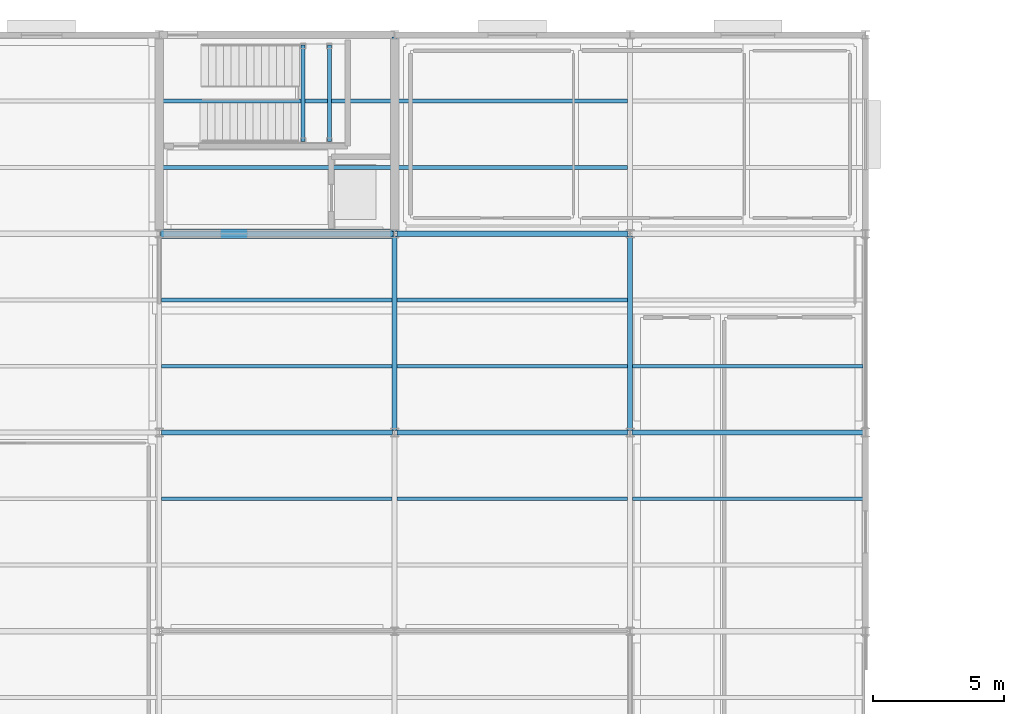
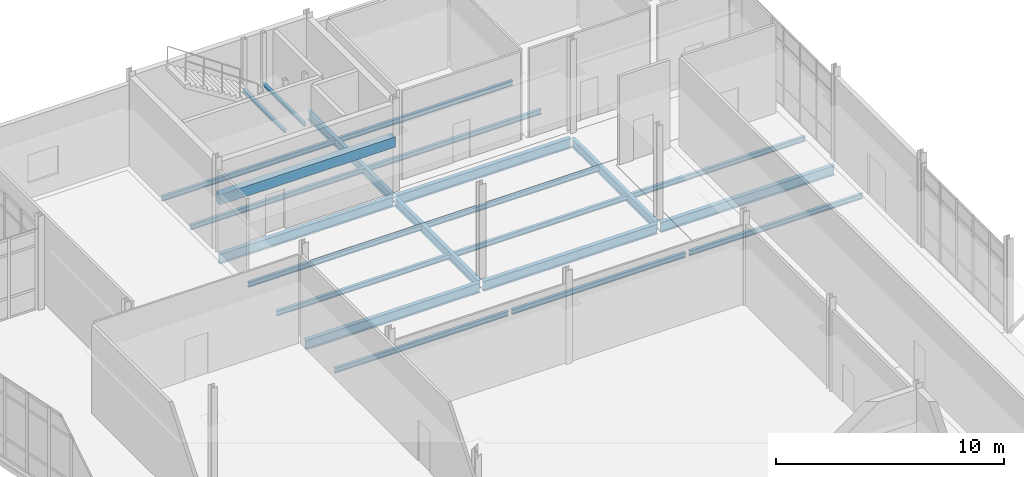
# One storey, part 117 of 161: 23 beams.
"""IFC4 building model written with IfcOpenShell, lengths in metres."""

from ifc_helpers import new_model, si_unit, direction, frame, origin, origin_2d, place, context, subcontext, project, spatial, rectangle, i_section, extrude, material, material_profile, profile_set, type_object, element, save


model = new_model("IFC4")

# Units and contexts
model_context = context("Model", 3, precision=1e-05, world=origin(), true_north=direction((0.0, 1.0)))
body_context = subcontext(model_context, "Body", "Model", "MODEL_VIEW")
ifc_project = project(units=[si_unit("LENGTHUNIT", "METRE"), si_unit("AREAUNIT", "SQUARE_METRE"), si_unit("VOLUMEUNIT", "CUBIC_METRE"), si_unit("PLANEANGLEUNIT", "RADIAN"), si_unit("MASSUNIT", "GRAM", prefix="KILO")], contexts=[model_context])

# Site, building, storey
site_placement = place(None, origin())
site = spatial("IfcSite", under=ifc_project, at=site_placement, CompositionType="ELEMENT")
building_placement = place(site_placement, origin())
building = spatial("IfcBuilding", under=site, at=building_placement, Name="Caisbarro Railhouse Central Library", CompositionType="ELEMENT")
storey_placement = place(building_placement, origin())
storey = spatial("IfcBuildingStorey", under=building, at=storey_placement, Name="L00", CompositionType="ELEMENT", Elevation=0.0)

# Beams
ifc_material_1 = material(Name="Steel ASTM A572 Grade 50", Category="steel")
ifc_material_profile_1 = material_profile(ifc_material_1, i_section(OverallWidth=0.208984375, OverallDepth=0.532958984375, WebThickness=0.01025390625, FlangeThickness=0.015625, FilletRadius=0.02001953125, at=origin_2d()), Name="W530X92.0")
ifc_profile_set_1 = profile_set([ifc_material_profile_1], Name="Steel ASTM A572 Grade 50")
beam_type_1 = type_object("IfcBeamType", Name="BM-G06", PredefinedType="BEAM", material=ifc_profile_set_1)
for number, where, z_axis, x_axis, name in (
    (1, (126.080078125, 98.800048828125, -0.5166015625), (1.0, 0.0, 0.0), (0.0, 1.0, 0.0), "G06 beam L00 #511"),
    (2, (135.080078125, 98.800048828125, -0.5166015625), (1.0, 0.0, 0.0), (0.0, 1.0, 0.0), "G06 beam L00 #512"),
    (3, (144.080078125, 98.800048828125, -0.5166015625), (1.0, 0.0, 0.0), (0.0, 1.0, 0.0), "G06 beam L00 #513"),
    (4, (126.080078125, 106.39990234375, -0.5166015625), (1.0, 0.0, 0.0), (0.0, 1.0, 0.0), "G06 beam L00 #515"),
    (5, (135.080078125, 106.39990234375, -0.5166015625), (1.0, 0.0, 0.0), (0.0, 1.0, 0.0), "G06 beam L00 #516"),
):
    element("IfcBeam", number, at=place(storey_placement, frame(where, z_axis=z_axis, x_axis=x_axis)), inside=storey, type_object=beam_type_1, Name=name, PredefinedType="BEAM", context=body_context, shape_type="SweptSolid", body=[
        extrude(i_section(OverallWidth=0.208984375, OverallDepth=0.532958984375, WebThickness=0.01025390625, FlangeThickness=0.015625, FilletRadius=0.02001953125, at=origin_2d()), origin(), (0.0, 0.0, 1.0), 8.83984375),
    ])
ifc_material_profile_2 = material_profile(ifc_material_1, i_section(OverallWidth=0.18994140625, OverallDepth=0.45703125, WebThickness=0.009033203125, FlangeThickness=0.014404296875, FilletRadius=0.01806640625, at=origin_2d()), Name="W460X74.0")
ifc_profile_set_2 = profile_set([ifc_material_profile_2], Name="Steel ASTM A572 Grade 50")
beam_type_2 = type_object("IfcBeamType", Name="BM-G08", PredefinedType="BEAM", material=ifc_profile_set_2)
beam_1_placement = place(storey_placement, frame((135.0, 98.8798828125, -0.478515625), z_axis=(0.0, 1.0, 0.0), x_axis=(-1.0, 0.0, 0.0)))
element("IfcBeam", 6, at=beam_1_placement, inside=storey, type_object=beam_type_2, Name="G08 beam L00 #541", PredefinedType="BEAM", context=body_context, shape_type="SweptSolid", body=[
    extrude(i_section(OverallWidth=0.18994140625, OverallDepth=0.45703125, WebThickness=0.009033203125, FlangeThickness=0.014404296875, FilletRadius=0.01806640625, at=origin_2d()), origin(), (0.0, 0.0, 1.0), 7.440185546875),
])
beam_2_placement = place(storey_placement, frame((135.0, 106.47998046875, -0.478515625), z_axis=(0.0, 1.0, 0.0), x_axis=(-1.0, 0.0, 0.0)))
element("IfcBeam", 7, at=beam_2_placement, inside=storey, type_object=beam_type_2, Name="G08 beam L00 #542", PredefinedType="BEAM", context=body_context, shape_type="SweptSolid", body=[
    extrude(i_section(OverallWidth=0.18994140625, OverallDepth=0.45703125, WebThickness=0.009033203125, FlangeThickness=0.014404296875, FilletRadius=0.01806640625, at=origin_2d()), origin(), (0.0, 0.0, 1.0), 7.43994140625),
])
beam_3_placement = place(storey_placement, frame((144.0, 98.8798828125, -0.478515625), z_axis=(0.0, 1.0, 0.0), x_axis=(-1.0, 0.0, 0.0)))
element("IfcBeam", 8, at=beam_3_placement, inside=storey, type_object=beam_type_2, Name="G08 beam L00 #548", PredefinedType="BEAM", context=body_context, shape_type="SweptSolid", body=[
    extrude(i_section(OverallWidth=0.18994140625, OverallDepth=0.45703125, WebThickness=0.009033203125, FlangeThickness=0.014404296875, FilletRadius=0.01806640625, at=origin_2d()), origin(), (0.0, 0.0, 1.0), 7.440185546875),
])
ifc_material_profile_3 = material_profile(ifc_material_1, i_section(OverallWidth=0.14794921875, OverallDepth=0.26611328125, WebThickness=0.007568359375, FlangeThickness=0.012939453125, FilletRadius=0.010009765625, at=origin_2d()), Name="W250X44.8")
ifc_profile_set_3 = profile_set([ifc_material_profile_3], Name="Steel ASTM A572 Grade 50")
beam_type_3 = type_object("IfcBeamType", Name="BM-J04", PredefinedType="JOIST", material=ifc_profile_set_3)
for number, where, z_axis, x_axis, name in (
    (9, (126.094970703125, 96.2666015625, -0.383056640625), (1.0, 0.0, 0.0), (0.0, 1.0, 0.0), "J04 beam L00 #580"),
    (10, (126.094970703125, 101.333251953125, -0.383056640625), (1.0, 0.0, 0.0), (0.0, 1.0, 0.0), "J04 beam L00 #581"),
    (11, (126.094970703125, 103.86669921875, -0.383056640625), (1.0, 0.0, 0.0), (0.0, 1.0, 0.0), "J04 beam L00 #582"),
    (12, (126.094970703125, 108.933349609375, -0.383056640625), (1.0, 0.0, 0.0), (0.0, 1.0, 0.0), "J04 beam L00 #583"),
    (13, (126.094970703125, 111.466796875, -0.383056640625), (1.0, 0.0, 0.0), (0.0, 1.0, 0.0), "J04 beam L00 #584"),
    (14, (135.094970703125, 96.2666015625, -0.383056640625), (1.0, 0.0, 0.0), (0.0, 1.0, 0.0), "J04 beam L00 #594"),
    (15, (135.094970703125, 101.333251953125, -0.383056640625), (1.0, 0.0, 0.0), (0.0, 1.0, 0.0), "J04 beam L00 #595"),
    (16, (135.094970703125, 103.86669921875, -0.383056640625), (1.0, 0.0, 0.0), (0.0, 1.0, 0.0), "J04 beam L00 #596"),
    (17, (135.094970703125, 108.933349609375, -0.383056640625), (1.0, 0.0, 0.0), (0.0, 1.0, 0.0), "J04 beam L00 #597"),
    (18, (135.094970703125, 111.466796875, -0.383056640625), (1.0, 0.0, 0.0), (0.0, 1.0, 0.0), "J04 beam L00 #598"),
    (19, (144.094970703125, 96.2666015625, -0.383056640625), (1.0, 0.0, 0.0), (0.0, 1.0, 0.0), "J04 beam L00 #608"),
    (20, (144.094970703125, 101.333251953125, -0.383056640625), (1.0, 0.0, 0.0), (0.0, 1.0, 0.0), "J04 beam L00 #609"),
):
    element("IfcBeam", number, at=place(storey_placement, frame(where, z_axis=z_axis, x_axis=x_axis)), inside=storey, type_object=beam_type_3, Name=name, PredefinedType="JOIST", context=body_context, shape_type="SweptSolid", body=[
        extrude(i_section(OverallWidth=0.14794921875, OverallDepth=0.26611328125, WebThickness=0.007568359375, FlangeThickness=0.012939453125, FilletRadius=0.010009765625, at=origin_2d()), origin(), (0.0, 0.0, 1.0), 8.81005859375),
    ])
ifc_material_2 = material(Name="Concrete C40", Category="concrete")
ifc_material_profile_4 = material_profile(ifc_material_2, rectangle(XDim=0.35009765625, YDim=0.550048828125, at=origin_2d()), Name="RC-LIN-350X550")
ifc_profile_set_4 = profile_set([ifc_material_profile_4], Name="Concrete C40")
beam_type_4 = type_object("IfcBeamType", Name="BM-LN00", PredefinedType="LINTEL", material=ifc_profile_set_4)
beam_4_placement = place(storey_placement, frame((126.050048828125, 106.39990234375, 2.72509765625), z_axis=(1.0, 0.0, 0.0), x_axis=(0.0, 1.0, 0.0)))
element("IfcBeam", 21, at=beam_4_placement, inside=storey, type_object=beam_type_4, Name="LN00 RC core coupling lintel K3 L00", PredefinedType="LINTEL", context=body_context, shape_type="SweptSolid", body=[
    extrude(rectangle(XDim=0.35009765625, YDim=0.550048828125, at=origin_2d()), origin(), (0.0, 0.0, 1.0), 8.89990234375),
])
ifc_material_profile_5 = material_profile(ifc_material_1, i_section(OverallWidth=0.152099609375, OverallDepth=0.152099609375, WebThickness=0.005859375, FlangeThickness=0.006591796875, FilletRadius=0.008056640625, at=origin_2d()), Name="W150X22.5")
ifc_profile_set_5 = profile_set([ifc_material_profile_5], Name="Steel ASTM A572 Grade 50")
beam_type_5 = type_object("IfcBeamType", Name="BM-SL00", PredefinedType="BEAM", material=ifc_profile_set_5)
for number, where, z_axis, x_axis, name in (
    (22, (131.5, 109.929931640625, 2.25390625), (0.0, 1.0, 0.0), (-1.0, 0.0, 0.0), "SL00 Stair Landing Support Beam K3 L00 W"),
    (23, (132.5, 109.929931640625, 2.25390625), (0.0, 1.0, 0.0), (-1.0, 0.0, 0.0), "SL00 Stair Landing Support Beam K3 L00 E"),
):
    element("IfcBeam", number, at=place(storey_placement, frame(where, z_axis=z_axis, x_axis=x_axis)), inside=storey, type_object=beam_type_5, Name=name, PredefinedType="BEAM", context=body_context, shape_type="SweptSolid", body=[
        extrude(i_section(OverallWidth=0.152099609375, OverallDepth=0.152099609375, WebThickness=0.005859375, FlangeThickness=0.006591796875, FilletRadius=0.008056640625, at=origin_2d()), origin(), (0.0, 0.0, 1.0), 3.690185546875),
    ])

save(model, "model.ifc")
